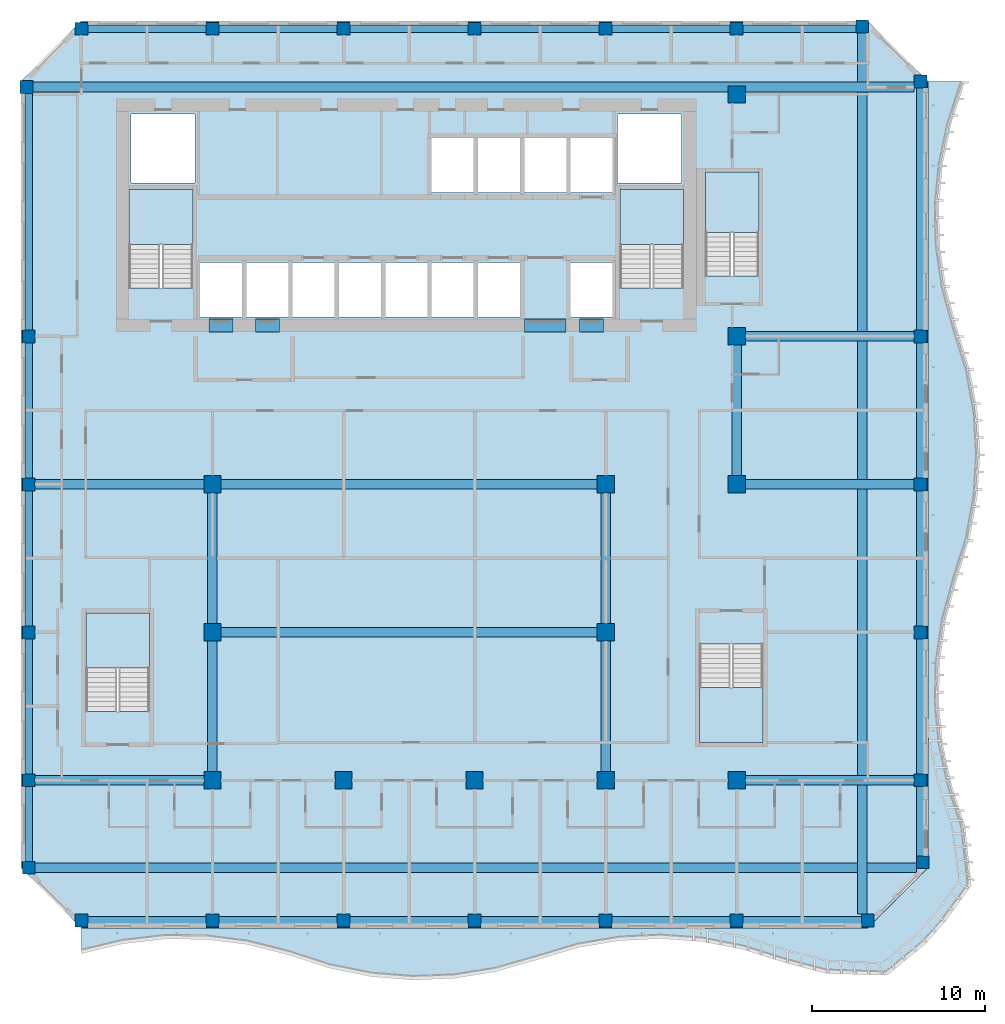
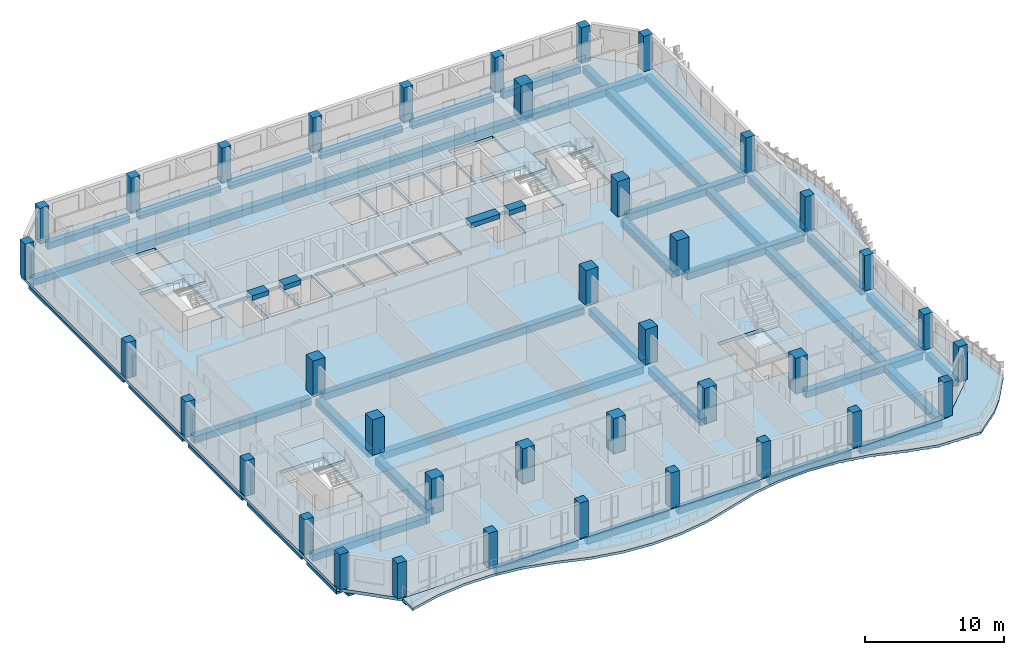
# One storey, part 1 of 23: 41 beams, 38 columns, 7 slabs, 5 elements without a shape of their own.
"""IFC4 building model written with IfcOpenShell, lengths in metres."""

from ifc_helpers import new_model, si_unit, direction, frame, origin, origin_2d, place, context, subcontext, project, spatial, polyline, rectangle, outline, extrude, source, transform, mapped, material, layer, layer_set, material_profile, profile_set, type_object, element, aggregate, save


model = new_model("IFC4")

# Units and contexts
model_context = context("Model", 3, precision=1e-05, world=origin(), true_north=direction((0.0, 1.0)))
body_context = subcontext(model_context, "Body", "Model", "MODEL_VIEW")
ifc_project = project(units=[si_unit("LENGTHUNIT", "METRE"), si_unit("AREAUNIT", "SQUARE_METRE"), si_unit("VOLUMEUNIT", "CUBIC_METRE"), si_unit("PLANEANGLEUNIT", "RADIAN"), si_unit("MASSUNIT", "GRAM", prefix="KILO")], contexts=[model_context])

# Site, building, storey
site_placement = place(None, origin())
site = spatial("IfcSite", under=ifc_project, at=site_placement, CompositionType="ELEMENT")
building_placement = place(site_placement, origin())
building = spatial("IfcBuilding", under=site, at=building_placement, Name="Kilnfold Tower and Market Hall", CompositionType="ELEMENT")
storey_placement = place(building_placement, frame((0.0, 0.0, 203.300048828125)))
storey = spatial("IfcBuildingStorey", under=building, at=storey_placement, Name="L49", CompositionType="ELEMENT", Elevation=203.300048828125)

# Columns
ifc_material_1 = material(Name="Concrete C70", Category="concrete")
ifc_material_profile_1 = material_profile(ifc_material_1, rectangle(XDim=0.75, YDim=0.75, at=origin_2d()), Name="RC 750x750")
ifc_profile_set_1 = profile_set([ifc_material_profile_1], Name="Concrete C70")
column_type_1 = type_object("IfcColumnType", Name="COLUMN 750X750 C70", PredefinedType="COLUMN", material=ifc_profile_set_1)
shared_shape_1 = source(origin(), body_context, "Body", "SweptSolid", [
    extrude(rectangle(XDim=0.75, YDim=0.75, at=origin_2d()), origin(), (0.0, 0.0, 1.0), 3.119873046875),
])
for number, where, z_axis, x_axis, name in (
    (1, (-20.931884765625, 22.431884765625, 0.0), (0.0, 0.0, 1.0), (1.0, 0.0, 0.0), "Column C-B6-1H"),
    (2, (-20.800048828125, -22.75, 0.0), (0.0, 0.0, 1.0), (1.0, 0.0, 0.0), "Column C-B6-1B"),
    (3, (-20.800048828125, -17.6875, 0.0), (0.0, 0.0, 1.0), (1.0, 0.0, 0.0), "Column C-B6-1C"),
    (4, (-20.800048828125, -9.125, 0.0), (0.0, 0.0, 1.0), (1.0, 0.0, 0.0), "Column C-B6-1D"),
    (5, (-20.800048828125, -0.5625, 0.0), (0.0, 0.0, 1.0), (1.0, 0.0, 0.0), "Column C-B6-1E"),
    (6, (-20.800048828125, 8.0, 0.0), (0.0, 0.0, 1.0), (1.0, 0.0, 0.0), "Column C-B6-1F"),
    (7, (-17.75, -25.800048828125, 0.0), (0.0, 0.0, 1.0), (1.0, 0.0, 0.0), "Column C-B6-2A"),
    (8, (-17.75, 25.800048828125, 0.0), (0.0, 0.0, 1.0), (1.0, 0.0, 0.0), "Column C-B6-2I"),
    (9, (-10.166748046875, -25.800048828125, 0.0), (0.0, 0.0, 1.0), (1.0, 0.0, 0.0), "Column C-B6-3A"),
    (10, (-10.166748046875, 25.800048828125, 0.0), (0.0, 0.0, 1.0), (1.0, 0.0, 0.0), "Column C-B6-3I"),
    (11, (-2.583251953125, -25.800048828125, 0.0), (0.0, 0.0, 1.0), (1.0, 0.0, 0.0), "Column C-B6-4A"),
    (12, (-2.583251953125, 25.800048828125, 0.0), (0.0, 0.0, 1.0), (1.0, 0.0, 0.0), "Column C-B6-4I"),
    (13, (5.0, -25.800048828125, 0.0), (0.0, 0.0, 1.0), (1.0, 0.0, 0.0), "Column C-B6-5A"),
    (14, (5.0, 25.800048828125, 0.0), (0.0, 0.0, 1.0), (1.0, 0.0, 0.0), "Column C-B6-5I"),
    (15, (12.583251953125, -25.800048828125, 0.0), (0.0, 0.0, 1.0), (1.0, 0.0, 0.0), "Column C-B6-6A"),
    (16, (12.583251953125, 25.800048828125, 0.0), (0.0, 0.0, 1.0), (1.0, 0.0, 0.0), "Column C-B6-6I"),
    (17, (20.166748046875, -25.800048828125, 0.0), (0.0, 0.0, 1.0), (1.0, 0.0, 0.0), "Column C-B6-7A"),
    (18, (20.166748046875, 25.800048828125, 0.0), (0.0, 0.0, 1.0), (1.0, 0.0, 0.0), "Column C-B6-7I"),
    (19, (27.431884765625, 25.931884765625, 0.0), (0.0, 0.0, 1.0), (1.0, 0.0, 0.0), "Column C-B6-8I"),
    (20, (27.75, -25.800048828125, 0.0), (0.0, 0.0, 1.0), (1.0, 0.0, 0.0), "Column C-B6-8A"),
    (21, (30.800048828125, -17.6875, 0.0), (0.0, 0.0, 1.0), (1.0, 0.0, 0.0), "Column C-B6-9C"),
    (22, (30.800048828125, -9.125, 0.0), (0.0, 0.0, 1.0), (1.0, 0.0, 0.0), "Column C-B6-9D"),
    (23, (30.800048828125, -0.5625, 0.0), (0.0, 0.0, 1.0), (1.0, 0.0, 0.0), "Column C-B6-9E"),
    (24, (30.800048828125, 8.0, 0.0), (0.0, 0.0, 1.0), (1.0, 0.0, 0.0), "Column C-B6-9F"),
    (25, (30.800048828125, 22.75, 0.0), (0.0, 0.0, 1.0), (1.0, 0.0, 0.0), "Column C-B6-9H"),
    (26, (30.931884765625, -22.431884765625, 0.0), (0.0, 0.0, 1.0), (1.0, 0.0, 0.0), "Column C-B6-9B"),
):
    element("IfcColumn", number, at=place(storey_placement, frame(where, z_axis=z_axis, x_axis=x_axis)), inside=storey, type_object=column_type_1, Name=name, PredefinedType="COLUMN", context=body_context, shape_type="MappedRepresentation", body=[
        mapped(shared_shape_1, transform((0.0, 0.0, 0.0))),
    ])
ifc_material_2 = material(Name="Concrete C70", Category="concrete")
ifc_material_profile_2 = material_profile(ifc_material_2, rectangle(XDim=1.0, YDim=1.0, at=origin_2d()), Name="RC 1000x1000")
ifc_profile_set_2 = profile_set([ifc_material_profile_2], Name="Concrete C70")
column_type_2 = type_object("IfcColumnType", Name="COLUMN 1000X1000 C70", PredefinedType="COLUMN", material=ifc_profile_set_2)
shared_shape_2 = source(origin(), body_context, "Body", "SweptSolid", [
    extrude(rectangle(XDim=1.0, YDim=1.0, at=origin_2d()), origin(), (0.0, 0.0, 1.0), 3.119873046875),
])
for number, where, z_axis, x_axis, name in (
    (27, (-10.166748046875, -17.6875, 0.0), (0.0, 0.0, 1.0), (1.0, 0.0, 0.0), "Column C-B6-3C"),
    (28, (-10.166748046875, -9.125, 0.0), (0.0, 0.0, 1.0), (1.0, 0.0, 0.0), "Column C-B6-3D"),
    (29, (-10.166748046875, -0.5625, 0.0), (0.0, 0.0, 1.0), (1.0, 0.0, 0.0), "Column C-B6-3E"),
    (30, (-2.583251953125, -17.6875, 0.0), (0.0, 0.0, 1.0), (1.0, 0.0, 0.0), "Column C-B6-4C"),
    (31, (5.0, -17.6875, 0.0), (0.0, 0.0, 1.0), (1.0, 0.0, 0.0), "Column C-B6-5C"),
    (32, (12.583251953125, -17.6875, 0.0), (0.0, 0.0, 1.0), (1.0, 0.0, 0.0), "Column C-B6-6C"),
    (33, (12.583251953125, -9.125, 0.0), (0.0, 0.0, 1.0), (1.0, 0.0, 0.0), "Column C-B6-6D"),
    (34, (12.583251953125, -0.5625, 0.0), (0.0, 0.0, 1.0), (1.0, 0.0, 0.0), "Column C-B6-6E"),
    (35, (20.166748046875, -17.6875, 0.0), (0.0, 0.0, 1.0), (1.0, 0.0, 0.0), "Column C-B6-7C"),
    (36, (20.166748046875, -0.5625, 0.0), (0.0, 0.0, 1.0), (1.0, 0.0, 0.0), "Column C-B6-7E"),
    (37, (20.166748046875, 8.0, 0.0), (0.0, 0.0, 1.0), (1.0, 0.0, 0.0), "Column C-B6-7F"),
    (38, (20.166748046875, 22.0, 0.0), (0.0, 0.0, 1.0), (1.0, 0.0, 0.0), "Column C-B6-7G"),
):
    element("IfcColumn", number, at=place(storey_placement, frame(where, z_axis=z_axis, x_axis=x_axis)), inside=storey, type_object=column_type_2, Name=name, PredefinedType="COLUMN", context=body_context, shape_type="MappedRepresentation", body=[
        mapped(shared_shape_2, transform((0.0, 0.0, 0.0))),
    ])

# Beams
ifc_material_3 = material(Name="Concrete C45", Category="concrete")
ifc_material_profile_3 = material_profile(ifc_material_3, rectangle(XDim=0.550048828125, YDim=0.60009765625, at=origin_2d()), Name="RC 550x600")
ifc_profile_set_3 = profile_set([ifc_material_profile_3], Name="Concrete C45")
beam_type_1 = type_object("IfcBeamType", Name="BEAM 550X600 C45", PredefinedType="BEAM", material=ifc_profile_set_3)
shared_shape_3 = source(origin(), body_context, "Body", "SweptSolid", [
    extrude(rectangle(XDim=0.550048828125, YDim=0.60009765625, at=origin_2d()), origin(), (0.0, 0.0, 1.0), 21.75),
])
for number, where, z_axis, x_axis, name in (
    (39, (-9.666748046875, -9.1201171875, -0.580078125), (1.0, 0.0, 0.0), (0.0, 1.0, 0.0), "Beam BB600-B6.48"),
    (40, (-9.666748046875, -0.56005859375, -0.580078125), (1.0, 0.0, 0.0), (0.0, 1.0, 0.0), "Beam BB600-B6.50"),
):
    element("IfcBeam", number, at=place(storey_placement, frame(where, z_axis=z_axis, x_axis=x_axis)), inside=storey, type_object=beam_type_1, Name=name, PredefinedType="BEAM", context=body_context, shape_type="MappedRepresentation", body=[
        mapped(shared_shape_3, transform((0.0, 0.0, 0.0))),
    ])
ifc_material_4 = material(Name="Concrete C60", Category="concrete")
ifc_material_profile_4 = material_profile(ifc_material_4, rectangle(XDim=0.75, YDim=0.419921875, at=origin_2d()), Name="RC 750x420")
ifc_profile_set_4 = profile_set([ifc_material_profile_4], Name="Concrete C60")
beam_type_2 = type_object("IfcBeamType", Name="COUPLING BEAM 750X420 C60", PredefinedType="BEAM", material=ifc_profile_set_4)
shared_shape_4 = source(origin(), body_context, "Body", "SweptSolid", [
    extrude(rectangle(XDim=0.75, YDim=0.419921875, at=origin_2d()), origin(), (0.0, 0.0, 1.0), 1.400146484375),
])
beam_1_placement = place(storey_placement, frame((-10.3701171875, 8.625, 2.909912109375), z_axis=(1.0, 0.0, 0.0), x_axis=(0.0, 1.0, 0.0)))
element("IfcBeam", 41, at=beam_1_placement, inside=storey, type_object=beam_type_2, Name="Coupling beam CB420-60-CORE.37", PredefinedType="BEAM", context=body_context, shape_type="MappedRepresentation", body=[
    mapped(shared_shape_4, transform((0.0, 0.0, 0.0))),
])
shared_shape_5 = source(origin(), body_context, "Body", "SweptSolid", [
    extrude(rectangle(XDim=0.75, YDim=0.419921875, at=origin_2d()), origin(), (0.0, 0.0, 1.0), 1.39990234375),
])
for number, where, z_axis, x_axis, name in (
    (42, (-7.68994140625, 8.625, 2.909912109375), (1.0, 0.0, 0.0), (0.0, 1.0, 0.0), "Coupling beam CB420-60-CORE.38"),
    (43, (11.070068359375, 8.625, 2.909912109375), (1.0, 0.0, 0.0), (0.0, 1.0, 0.0), "Coupling beam CB420-60-CORE.40"),
):
    element("IfcBeam", number, at=place(storey_placement, frame(where, z_axis=z_axis, x_axis=x_axis)), inside=storey, type_object=beam_type_2, Name=name, PredefinedType="BEAM", context=body_context, shape_type="MappedRepresentation", body=[
        mapped(shared_shape_5, transform((0.0, 0.0, 0.0))),
    ])
shared_shape_6 = source(origin(), body_context, "Body", "SweptSolid", [
    extrude(rectangle(XDim=0.75, YDim=0.419921875, at=origin_2d()), origin(), (0.0, 0.0, 1.0), 2.400146484375),
])
beam_2_placement = place(storey_placement, frame((7.889892578125, 8.625, 2.909912109375), z_axis=(1.0, 0.0, 0.0), x_axis=(0.0, 1.0, 0.0)))
element("IfcBeam", 44, at=beam_2_placement, inside=storey, type_object=beam_type_2, Name="Coupling beam CB420-60-CORE.39", PredefinedType="BEAM", context=body_context, shape_type="MappedRepresentation", body=[
    mapped(shared_shape_6, transform((0.0, 0.0, 0.0))),
])
ifc_material_5 = material(Name="Concrete C45", Category="concrete")
ifc_material_profile_5 = material_profile(ifc_material_5, rectangle(XDim=0.449951171875, YDim=0.60009765625, at=origin_2d()), Name="RC 450x600")
ifc_profile_set_5 = profile_set([ifc_material_profile_5], Name="Concrete C45")
beam_type_3 = type_object("IfcBeamType", Name="EDGE BEAM 450X600 C45", PredefinedType="BEAM", material=ifc_profile_set_5)
shared_shape_7 = source(origin(), body_context, "Body", "SweptSolid", [
    extrude(rectangle(XDim=0.449951171875, YDim=0.60009765625, at=origin_2d()), origin(), (0.0, 0.0, 1.0), 13.681884765625),
])
beam_3_placement = place(storey_placement, frame((-20.800048828125, 8.375, -0.580078125), z_axis=(0.0, 1.0, 0.0), x_axis=(-1.0, 0.0, 0.0)))
element("IfcBeam", 45, at=beam_3_placement, inside=storey, type_object=beam_type_3, Name="Beam EB600-B6.33", PredefinedType="BEAM", context=body_context, shape_type="MappedRepresentation", body=[
    mapped(shared_shape_7, transform((0.0, 0.0, 0.0))),
])
shared_shape_8 = source(origin(), body_context, "Body", "SweptSolid", [
    extrude(rectangle(XDim=0.449951171875, YDim=0.60009765625, at=origin_2d()), origin(), (0.0, 0.0, 1.0), 6.833251953125),
])
for number, where, z_axis, x_axis, name in (
    (46, (-17.375, -25.800048828125, -0.580078125), (1.0, 0.0, 0.0), (0.0, 1.0, 0.0), "Beam EB600-B6.39"),
    (47, (-2.208251953125, -25.800048828125, -0.580078125), (1.0, 0.0, 0.0), (0.0, 1.0, 0.0), "Beam EB600-B6.41"),
    (48, (5.375, -25.800048828125, -0.580078125), (1.0, 0.0, 0.0), (0.0, 1.0, 0.0), "Beam EB600-B6.42"),
    (49, (20.541748046875, -25.800048828125, -0.580078125), (1.0, 0.0, 0.0), (0.0, 1.0, 0.0), "Beam EB600-B6.44"),
    (50, (-17.375, 25.800048828125, -0.580078125), (1.0, 0.0, 0.0), (0.0, 1.0, 0.0), "Beam EB600-B6.54"),
    (51, (-2.208251953125, 25.800048828125, -0.580078125), (1.0, 0.0, 0.0), (0.0, 1.0, 0.0), "Beam EB600-B6.56"),
    (52, (5.375, 25.800048828125, -0.580078125), (1.0, 0.0, 0.0), (0.0, 1.0, 0.0), "Beam EB600-B6.57"),
):
    element("IfcBeam", number, at=place(storey_placement, frame(where, z_axis=z_axis, x_axis=x_axis)), inside=storey, type_object=beam_type_3, Name=name, PredefinedType="BEAM", context=body_context, shape_type="MappedRepresentation", body=[
        mapped(shared_shape_8, transform((0.0, 0.0, 0.0))),
    ])
shared_shape_9 = source(origin(), body_context, "Body", "SweptSolid", [
    extrude(rectangle(XDim=0.449951171875, YDim=0.60009765625, at=origin_2d()), origin(), (0.0, 0.0, 1.0), 6.83349609375),
])
for number, where, z_axis, x_axis, name in (
    (53, (-9.791748046875, -25.800048828125, -0.580078125), (1.0, 0.0, 0.0), (0.0, 1.0, 0.0), "Beam EB600-B6.40"),
    (54, (12.958251953125, -25.800048828125, -0.580078125), (1.0, 0.0, 0.0), (0.0, 1.0, 0.0), "Beam EB600-B6.43"),
    (55, (-9.791748046875, 25.800048828125, -0.580078125), (1.0, 0.0, 0.0), (0.0, 1.0, 0.0), "Beam EB600-B6.55"),
    (56, (12.958251953125, 25.800048828125, -0.580078125), (1.0, 0.0, 0.0), (0.0, 1.0, 0.0), "Beam EB600-B6.58"),
):
    element("IfcBeam", number, at=place(storey_placement, frame(where, z_axis=z_axis, x_axis=x_axis)), inside=storey, type_object=beam_type_3, Name=name, PredefinedType="BEAM", context=body_context, shape_type="MappedRepresentation", body=[
        mapped(shared_shape_9, transform((0.0, 0.0, 0.0))),
    ])
shared_shape_10 = source(origin(), body_context, "Body", "SweptSolid", [
    extrude(rectangle(XDim=0.550048828125, YDim=0.60009765625, at=origin_2d()), origin(), (0.0, 0.0, 1.0), 50.98193359375),
])
for number, where, z_axis, x_axis, name in (
    (57, (-20.425048828125, -22.75, -0.580078125), (1.0, 0.0, 0.0), (0.0, 1.0, 0.0), "Beam BB600-B6.45"),
    (58, (-20.556884765625, 22.429931640625, -0.580078125), (1.0, 0.0, 0.0), (0.0, 1.0, 0.0), "Beam BB600-B6.53"),
    (59, (27.429931640625, -25.425048828125, -0.580078125), (0.0, 1.0, 0.0), (-1.0, 0.0, 0.0), "Beam BB600-B6.69"),
):
    element("IfcBeam", number, at=place(storey_placement, frame(where, z_axis=z_axis, x_axis=x_axis)), inside=storey, type_object=beam_type_1, Name=name, PredefinedType="BEAM", context=body_context, shape_type="MappedRepresentation", body=[
        mapped(shared_shape_10, transform((0.0, 0.0, 0.0))),
    ])
shared_shape_11 = source(origin(), body_context, "Body", "SweptSolid", [
    extrude(rectangle(XDim=0.550048828125, YDim=0.60009765625, at=origin_2d()), origin(), (0.0, 0.0, 1.0), 9.75830078125),
])
for number, where, z_axis, x_axis, name in (
    (60, (-20.425048828125, -17.68994140625, -0.580078125), (1.0, 0.0, 0.0), (0.0, 1.0, 0.0), "Beam BB600-B6.46"),
    (61, (20.666748046875, -17.68994140625, -0.580078125), (1.0, 0.0, 0.0), (0.0, 1.0, 0.0), "Beam BB600-B6.47"),
    (62, (-20.425048828125, -0.56005859375, -0.580078125), (1.0, 0.0, 0.0), (0.0, 1.0, 0.0), "Beam BB600-B6.49"),
    (63, (20.666748046875, -0.56005859375, -0.580078125), (1.0, 0.0, 0.0), (0.0, 1.0, 0.0), "Beam BB600-B6.51"),
    (64, (20.666748046875, 8.0, -0.580078125), (1.0, 0.0, 0.0), (0.0, 1.0, 0.0), "Beam BB600-B6.52"),
):
    element("IfcBeam", number, at=place(storey_placement, frame(where, z_axis=z_axis, x_axis=x_axis)), inside=storey, type_object=beam_type_1, Name=name, PredefinedType="BEAM", context=body_context, shape_type="MappedRepresentation", body=[
        mapped(shared_shape_11, transform((0.0, 0.0, 0.0))),
    ])
shared_shape_12 = source(origin(), body_context, "Body", "SweptSolid", [
    extrude(rectangle(XDim=0.449951171875, YDim=0.60009765625, at=origin_2d()), origin(), (0.0, 0.0, 1.0), 6.51513671875),
])
beam_4_placement = place(storey_placement, frame((20.541748046875, 25.800048828125, -0.580078125), z_axis=(1.0, 0.0, 0.0), x_axis=(0.0, 1.0, 0.0)))
element("IfcBeam", 65, at=beam_4_placement, inside=storey, type_object=beam_type_3, Name="Beam EB600-B6.59", PredefinedType="BEAM", context=body_context, shape_type="MappedRepresentation", body=[
    mapped(shared_shape_12, transform((0.0, 0.0, 0.0))),
])
shared_shape_13 = source(origin(), body_context, "Body", "SweptSolid", [
    extrude(rectangle(XDim=0.449951171875, YDim=0.60009765625, at=origin_2d()), origin(), (0.0, 0.0, 1.0), 4.3125),
])
beam_5_placement = place(storey_placement, frame((-20.800048828125, -22.375, -0.580078125), z_axis=(0.0, 1.0, 0.0), x_axis=(-1.0, 0.0, 0.0)))
element("IfcBeam", 66, at=beam_5_placement, inside=storey, type_object=beam_type_3, Name="Beam EB600-B6.60", PredefinedType="BEAM", context=body_context, shape_type="MappedRepresentation", body=[
    mapped(shared_shape_13, transform((0.0, 0.0, 0.0))),
])
shared_shape_14 = source(origin(), body_context, "Body", "SweptSolid", [
    extrude(rectangle(XDim=0.449951171875, YDim=0.60009765625, at=origin_2d()), origin(), (0.0, 0.0, 1.0), 7.8125),
])
for number, where, z_axis, x_axis, name in (
    (67, (-20.800048828125, -17.3125, -0.580078125), (0.0, 1.0, 0.0), (-1.0, 0.0, 0.0), "Beam EB600-B6.61"),
    (68, (-20.800048828125, -8.75, -0.580078125), (0.0, 1.0, 0.0), (-1.0, 0.0, 0.0), "Beam EB600-B6.62"),
    (69, (-20.800048828125, -0.1875, -0.580078125), (0.0, 1.0, 0.0), (-1.0, 0.0, 0.0), "Beam EB600-B6.63"),
    (70, (30.800048828125, -17.3125, -0.580078125), (0.0, 1.0, 0.0), (-1.0, 0.0, 0.0), "Beam EB600-B6.71"),
    (71, (30.800048828125, -8.75, -0.580078125), (0.0, 1.0, 0.0), (-1.0, 0.0, 0.0), "Beam EB600-B6.72"),
    (72, (30.800048828125, -0.1875, -0.580078125), (0.0, 1.0, 0.0), (-1.0, 0.0, 0.0), "Beam EB600-B6.73"),
):
    element("IfcBeam", number, at=place(storey_placement, frame(where, z_axis=z_axis, x_axis=x_axis)), inside=storey, type_object=beam_type_3, Name=name, PredefinedType="BEAM", context=body_context, shape_type="MappedRepresentation", body=[
        mapped(shared_shape_14, transform((0.0, 0.0, 0.0))),
    ])
shared_shape_15 = source(origin(), body_context, "Body", "SweptSolid", [
    extrude(rectangle(XDim=0.550048828125, YDim=0.60009765625, at=origin_2d()), origin(), (0.0, 0.0, 1.0), 7.5625),
])
for number, where, z_axis, x_axis, name in (
    (73, (-10.169921875, -17.1875, -0.580078125), (0.0, 1.0, 0.0), (-1.0, 0.0, 0.0), "Beam BB600-B6.64"),
    (74, (-10.169921875, -8.625, -0.580078125), (0.0, 1.0, 0.0), (-1.0, 0.0, 0.0), "Beam BB600-B6.65"),
    (75, (12.580078125, -17.1875, -0.580078125), (0.0, 1.0, 0.0), (-1.0, 0.0, 0.0), "Beam BB600-B6.66"),
    (76, (12.580078125, -8.625, -0.580078125), (0.0, 1.0, 0.0), (-1.0, 0.0, 0.0), "Beam BB600-B6.67"),
    (77, (20.169921875, -0.0625, -0.580078125), (0.0, 1.0, 0.0), (-1.0, 0.0, 0.0), "Beam BB600-B6.68"),
):
    element("IfcBeam", number, at=place(storey_placement, frame(where, z_axis=z_axis, x_axis=x_axis)), inside=storey, type_object=beam_type_1, Name=name, PredefinedType="BEAM", context=body_context, shape_type="MappedRepresentation", body=[
        mapped(shared_shape_15, transform((0.0, 0.0, 0.0))),
    ])
shared_shape_16 = source(origin(), body_context, "Body", "SweptSolid", [
    extrude(rectangle(XDim=0.449951171875, YDim=0.60009765625, at=origin_2d()), origin(), (0.0, 0.0, 1.0), 3.994384765625),
])
beam_6_placement = place(storey_placement, frame((30.800048828125, -22.056884765625, -0.580078125), z_axis=(0.0, 1.0, 0.0), x_axis=(-1.0, 0.0, 0.0)))
element("IfcBeam", 78, at=beam_6_placement, inside=storey, type_object=beam_type_3, Name="Beam EB600-B6.70", PredefinedType="BEAM", context=body_context, shape_type="MappedRepresentation", body=[
    mapped(shared_shape_16, transform((0.0, 0.0, 0.0))),
])
shared_shape_17 = source(origin(), body_context, "Body", "SweptSolid", [
    extrude(rectangle(XDim=0.449951171875, YDim=0.60009765625, at=origin_2d()), origin(), (0.0, 0.0, 1.0), 14.0),
])
beam_7_placement = place(storey_placement, frame((30.800048828125, 8.375, -0.580078125), z_axis=(0.0, 1.0, 0.0), x_axis=(-1.0, 0.0, 0.0)))
element("IfcBeam", 79, at=beam_7_placement, inside=storey, type_object=beam_type_3, Name="Beam EB600-B6.74", PredefinedType="BEAM", context=body_context, shape_type="MappedRepresentation", body=[
    mapped(shared_shape_17, transform((0.0, 0.0, 0.0))),
])

# Slabs
ifc_material_6 = material(Name="Concrete C45", Category="concrete")
ifc_layer_1 = layer(ifc_material_6, 0.280029296875)
ifc_layer_set_1 = layer_set([ifc_layer_1], Name="Concrete C45")
slab_type_1 = type_object("IfcSlabType", Name="FLOOR SLAB 280", PredefinedType="FLOOR", material=ifc_layer_set_1)
shared_shape_18 = source(origin(), body_context, "Body", "SweptSolid", [
    extrude(outline(polyline([(-17.75, -26.25), (27.75, -26.25), (31.25, -22.75), (31.25, 22.75), (27.75, 26.25), (-17.75, 26.25), (-21.25, 22.75), (-21.25, -22.75), (-17.75, -26.25)]), holes=[polyline([(-13.800537109375, -13.699462890625), (-17.49951171875, -13.699462890625), (-17.49951171875, -8.00048828125), (-13.800537109375, -8.00048828125), (-13.800537109375, -13.699462890625)]), polyline([(-14.99951171875, 10.800537109375), (-14.99951171875, 16.49951171875), (-11.300537109375, 16.49951171875), (-11.300537109375, 10.800537109375), (-14.99951171875, 10.800537109375)]), polyline([(-11.175048828125, 16.875), (-14.875, 16.875), (-14.875, 20.875), (-11.175048828125, 20.875), (-11.175048828125, 16.875)]), polyline([(-8.455078125, 9.125), (-10.885009765625, 9.125), (-10.885009765625, 12.27490234375), (-8.455078125, 12.27490234375), (-8.455078125, 9.125)]), polyline([(-5.77490234375, 9.125), (-8.205078125, 9.125), (-8.205078125, 12.27490234375), (-5.77490234375, 12.27490234375), (-5.77490234375, 9.125)]), polyline([(-3.094970703125, 9.125), (-5.52490234375, 9.125), (-5.52490234375, 12.27490234375), (-3.094970703125, 12.27490234375), (-3.094970703125, 9.125)]), polyline([(-0.4150390625, 9.125), (-2.844970703125, 9.125), (-2.844970703125, 12.27490234375), (-0.4150390625, 12.27490234375), (-0.4150390625, 9.125)]), polyline([(2.264892578125, 9.125), (-0.1650390625, 9.125), (-0.1650390625, 12.27490234375), (2.264892578125, 12.27490234375), (2.264892578125, 9.125)]), polyline([(4.945068359375, 9.125), (2.514892578125, 9.125), (2.514892578125, 12.27490234375), (4.945068359375, 12.27490234375), (4.945068359375, 9.125)]), polyline([(2.514892578125, 16.324951171875), (2.514892578125, 19.47509765625), (4.945068359375, 19.47509765625), (4.945068359375, 16.324951171875), (2.514892578125, 16.324951171875)]), polyline([(7.625, 9.125), (5.195068359375, 9.125), (5.195068359375, 12.27490234375), (7.625, 12.27490234375), (7.625, 9.125)]), polyline([(7.625, 16.324951171875), (5.195068359375, 16.324951171875), (5.195068359375, 19.47509765625), (7.625, 19.47509765625), (7.625, 16.324951171875)]), polyline([(10.304931640625, 16.324951171875), (7.875, 16.324951171875), (7.875, 19.47509765625), (10.304931640625, 19.47509765625), (10.304931640625, 16.324951171875)]), polyline([(10.554931640625, 9.125), (10.554931640625, 12.27490234375), (12.985107421875, 12.27490234375), (12.985107421875, 9.125), (10.554931640625, 9.125)]), polyline([(10.554931640625, 16.324951171875), (10.554931640625, 19.47509765625), (12.985107421875, 19.47509765625), (12.985107421875, 16.324951171875), (10.554931640625, 16.324951171875)]), polyline([(13.27490234375, 16.875), (13.27490234375, 20.875), (16.97509765625, 20.875), (16.97509765625, 16.875), (13.27490234375, 16.875)]), polyline([(13.400390625, 10.800537109375), (13.400390625, 16.49951171875), (17.099609375, 16.49951171875), (17.099609375, 10.800537109375), (13.400390625, 10.800537109375)]), polyline([(18.00048828125, -9.800537109375), (21.699462890625, -9.800537109375), (21.699462890625, -15.49951171875), (18.00048828125, -15.49951171875), (18.00048828125, -9.800537109375)]), polyline([(21.449462890625, 11.50048828125), (18.3505859375, 11.50048828125), (18.3505859375, 17.49951171875), (21.449462890625, 17.49951171875), (21.449462890625, 11.50048828125)])]), origin(), (0.0, 0.0, 1.0), 0.280029296875),
])
slab_1_placement = place(storey_placement, frame((0.0, 0.0, -0.280029296875)))
element("IfcSlab", 80, at=slab_1_placement, inside=storey, type_object=slab_type_1, Name="Floor slab L49", PredefinedType="FLOOR", context=body_context, shape_type="MappedRepresentation", body=[
    mapped(shared_shape_18, transform((0.0, 0.0, 0.0))),
])
ifc_material_7 = material(Name="Concrete C40/50", Category="concrete")
ifc_layer_2 = layer(ifc_material_7, 0.219970703125)
ifc_layer_set_2 = layer_set([ifc_layer_2], Name="Concrete C40/50")
slab_type_2 = type_object("IfcSlabType", Name="BALCONY SLAB 220", PredefinedType="FLOOR", material=ifc_layer_set_2)
shared_shape_19 = source(origin(), body_context, "Body", "SweptSolid", [
    extrude(outline(polyline([(-17.75, -26.25), (27.75, -26.25), (31.25, -22.75), (31.25, 22.75), (33.37548828125, 22.75), (32.5966796875, 20.355224609375), (32.080810546875, 17.96044921875), (31.8603515625, 15.56591796875), (31.92578125, 13.171142578125), (32.279541015625, 10.7763671875), (32.938232421875, 8.381591796875), (33.67626953125, 5.98681640625), (34.10888671875, 3.592041015625), (34.25, 1.197509765625), (34.105712890625, -1.197509765625), (33.669921875, -3.592041015625), (32.929443359375, -5.98681640625), (32.2744140625, -8.381591796875), (31.923583984375, -10.7763671875), (31.861328125, -13.171142578125), (32.084716796875, -15.56591796875), (32.60400390625, -17.96044921875), (33.383544921875, -20.355224609375), (33.746337890625, -23.783935546875), (32.1474609375, -25.98095703125), (31.03759765625, -27.2041015625), (28.876708984375, -28.97021484375), (25.355224609375, -28.871337890625), (22.96044921875, -28.245849609375), (20.56591796875, -27.486572265625), (18.171142578125, -27.0224609375), (15.7763671875, -26.851318359375), (13.381591796875, -26.9658203125), (10.98681640625, -27.370361328125), (8.592041015625, -28.08349609375), (6.197509765625, -28.77197265625), (3.802490234375, -29.153564453125), (1.407958984375, -29.24560546875), (-0.98681640625, -29.052001953125), (-3.381591796875, -28.564697265625), (-5.7763671875, -27.794189453125), (-8.171142578125, -27.193115234375), (-10.56591796875, -26.892578125), (-12.96044921875, -26.879150390625), (-15.355224609375, -27.15234375), (-17.75, -27.724365234375), (-17.75, -26.25)])), origin(), (0.0, 0.0, 1.0), 0.219970703125),
])
slab_2_placement = place(storey_placement, frame((0.0, 0.0, -0.219970703125)))
element("IfcSlab", 81, at=slab_2_placement, inside=storey, type_object=slab_type_2, Name="Balcony slab L49", PredefinedType="FLOOR", context=body_context, shape_type="MappedRepresentation", body=[
    mapped(shared_shape_19, transform((0.0, 0.0, 0.0))),
])

# Stair, slab
ifc_material_8 = material(Name="Concrete C40/50", Category="concrete")
stair_type_1 = type_object("IfcStairType", Name="CORE STAIR 1800", PredefinedType="HALF_TURN_STAIR", material=ifc_material_8)
stair_1_placement = place(storey_placement, origin())
stair_1 = element("IfcStair", 82, at=stair_1_placement, inside=storey, type_object=stair_type_1, Name="L49 ST1", PredefinedType="HALF_TURN_STAIR")
ifc_material_9 = material(Name="Concrete C40/50", Category="concrete")
ifc_layer_3 = layer(ifc_material_9, 0.199951171875)
ifc_layer_set_3 = layer_set([ifc_layer_3], Name="Concrete C40/50")
slab_type_3 = type_object("IfcSlabType", Name="CORE STAIR LANDING 200", PredefinedType="LANDING", material=ifc_layer_set_3)
shared_shape_20 = source(origin(), body_context, "Body", "SweptSolid", [
    extrude(outline(polyline([(-11.300048828125, 13.320068359375), (-11.300048828125, 16.5), (-15.0, 16.5), (-15.0, 13.320068359375), (-11.300048828125, 13.320068359375)])), origin(), (0.0, 0.0, 1.0), 0.199951171875),
])
slab_3_placement = place(storey_placement, frame((0.0, 0.0, 1.5)))
slab_3 = element("IfcSlab", 83, at=slab_3_placement, type_object=slab_type_3, Name="ST1 landing 1", PredefinedType="LANDING", context=body_context, shape_type="MappedRepresentation", body=[
    mapped(shared_shape_20, transform((0.0, 0.0, 0.0))),
])
aggregate(stair_1, [slab_3])

stair_2_placement = place(storey_placement, origin())
stair_2 = element("IfcStair", 84, at=stair_2_placement, inside=storey, type_object=stair_type_1, Name="L49 ST2", PredefinedType="HALF_TURN_STAIR")
shared_shape_21 = source(origin(), body_context, "Body", "SweptSolid", [
    extrude(outline(polyline([(17.10009765625, 13.320068359375), (17.10009765625, 16.5), (13.39990234375, 16.5), (13.39990234375, 13.320068359375), (17.10009765625, 13.320068359375)])), origin(), (0.0, 0.0, 1.0), 0.199951171875),
])
slab_4_placement = place(storey_placement, frame((0.0, 0.0, 1.5)))
slab_4 = element("IfcSlab", 85, at=slab_4_placement, type_object=slab_type_3, Name="ST2 landing 1", PredefinedType="LANDING", context=body_context, shape_type="MappedRepresentation", body=[
    mapped(shared_shape_21, transform((0.0, 0.0, 0.0))),
])
aggregate(stair_2, [slab_4])

stair_3_placement = place(storey_placement, origin())
stair_3 = element("IfcStair", 86, at=stair_3_placement, inside=storey, type_object=stair_type_1, Name="L49 ST3", PredefinedType="HALF_TURN_STAIR")
shared_shape_22 = source(origin(), body_context, "Body", "SweptSolid", [
    extrude(outline(polyline([(-13.800048828125, -11.179931640625), (-13.800048828125, -8.0), (-17.5, -8.0), (-17.5, -11.179931640625), (-13.800048828125, -11.179931640625)])), origin(), (0.0, 0.0, 1.0), 0.199951171875),
])
slab_5_placement = place(storey_placement, frame((0.0, 0.0, 1.5)))
slab_5 = element("IfcSlab", 87, at=slab_5_placement, type_object=slab_type_3, Name="ST3 landing 1", PredefinedType="LANDING", context=body_context, shape_type="MappedRepresentation", body=[
    mapped(shared_shape_22, transform((0.0, 0.0, 0.0))),
])
aggregate(stair_3, [slab_5])

stair_4_placement = place(storey_placement, origin())
stair_4 = element("IfcStair", 88, at=stair_4_placement, inside=storey, type_object=stair_type_1, Name="L49 ST4", PredefinedType="HALF_TURN_STAIR")
shared_shape_23 = source(origin(), body_context, "Body", "SweptSolid", [
    extrude(outline(polyline([(18.0, -12.320068359375), (18.0, -15.5), (21.699951171875, -15.5), (21.699951171875, -12.320068359375), (18.0, -12.320068359375)])), origin(), (0.0, 0.0, 1.0), 0.199951171875),
])
slab_6_placement = place(storey_placement, frame((0.0, 0.0, 1.5)))
slab_6 = element("IfcSlab", 89, at=slab_6_placement, type_object=slab_type_3, Name="ST4 landing 1", PredefinedType="LANDING", context=body_context, shape_type="MappedRepresentation", body=[
    mapped(shared_shape_23, transform((0.0, 0.0, 0.0))),
])
aggregate(stair_4, [slab_6])

ifc_material_10 = material(Name="Concrete C40/50", Category="concrete")
stair_type_2 = type_object("IfcStairType", Name="CORE STAIR 1500", PredefinedType="HALF_TURN_STAIR", material=ifc_material_10)
stair_5_placement = place(storey_placement, origin())
stair_5 = element("IfcStair", 90, at=stair_5_placement, inside=storey, type_object=stair_type_2, Name="L49 ST5", PredefinedType="HALF_TURN_STAIR")
shared_shape_24 = source(origin(), body_context, "Body", "SweptSolid", [
    extrude(outline(polyline([(21.449951171875, 14.02001953125), (21.449951171875, 17.5), (18.35009765625, 17.5), (18.35009765625, 14.02001953125), (21.449951171875, 14.02001953125)])), origin(), (0.0, 0.0, 1.0), 0.199951171875),
])
slab_7_placement = place(storey_placement, frame((0.0, 0.0, 1.5)))
slab_7 = element("IfcSlab", 91, at=slab_7_placement, type_object=slab_type_3, Name="ST5 landing 1", PredefinedType="LANDING", context=body_context, shape_type="MappedRepresentation", body=[
    mapped(shared_shape_24, transform((0.0, 0.0, 0.0))),
])
aggregate(stair_5, [slab_7])

save(model, "model.ifc")
